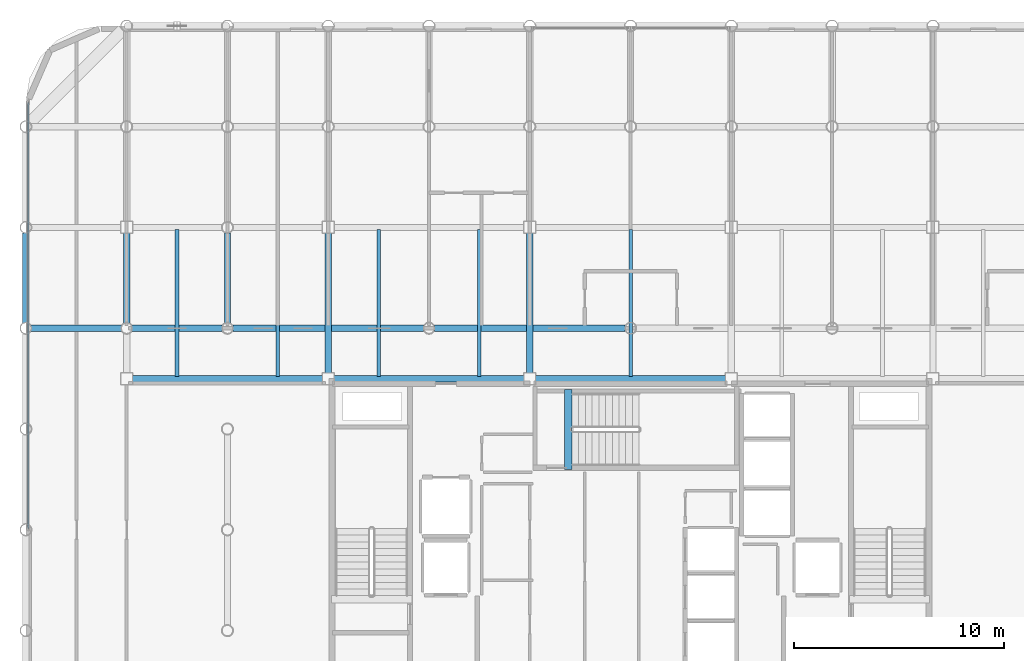
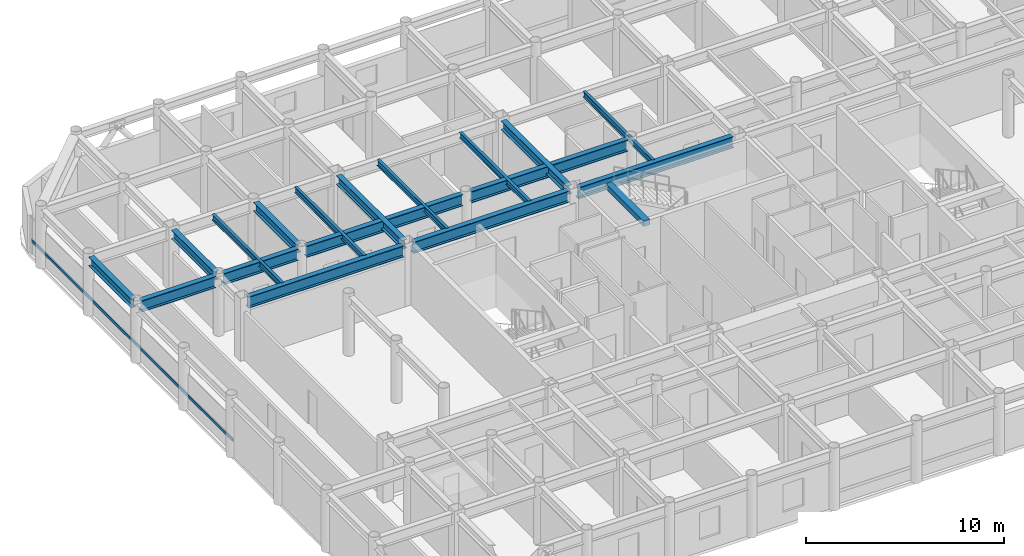
# One storey, part 7 of 24: 18 beams, 1 member, 1 element without a shape of its own.
"""IFC4 building model written with IfcOpenShell, lengths in metres."""

from ifc_helpers import new_model, si_unit, direction, frame, origin, origin_2d, place, context, subcontext, project, spatial, rectangle, hollow_rectangle, i_section, extrude, material, layer, layer_set, material_profile, profile_set, type_object, element, aggregate, save


model = new_model("IFC4")

# Units and contexts
model_context = context("Model", 3, precision=1e-05, world=origin(), true_north=direction((0.0, 1.0)))
body_context = subcontext(model_context, "Body", "Model", "MODEL_VIEW")
ifc_project = project(units=[si_unit("LENGTHUNIT", "METRE"), si_unit("AREAUNIT", "SQUARE_METRE"), si_unit("VOLUMEUNIT", "CUBIC_METRE"), si_unit("PLANEANGLEUNIT", "RADIAN"), si_unit("MASSUNIT", "GRAM", prefix="KILO")], contexts=[model_context])

# Site, building, storey
site_placement = place(None, origin())
site = spatial("IfcSite", under=ifc_project, at=site_placement, CompositionType="ELEMENT")
building_placement = place(site_placement, origin())
building = spatial("IfcBuilding", under=site, at=building_placement, Name="Kallvorn Hotel Tower", CompositionType="ELEMENT")
storey_placement = place(building_placement, frame((0.0, 0.0, 233.85009765625)))
storey = spatial("IfcBuildingStorey", under=building, at=storey_placement, Name="L58", CompositionType="ELEMENT", Elevation=233.85009765625)

# Beams
ifc_material_1 = material(Name="Structural steel S355JR", Category="steel")
ifc_material_profile_1 = material_profile(ifc_material_1, i_section(OverallWidth=0.300048828125, OverallDepth=0.550048828125, WebThickness=0.014892578125, FlangeThickness=0.029052734375, at=origin_2d()), Name="HE 550 B")
ifc_profile_set_1 = profile_set([ifc_material_profile_1], Name="Structural steel S355JR")
beam_type_1 = type_object("IfcBeamType", Name="BM_HE550B", PredefinedType="SPANDREL", material=ifc_profile_set_1)
beam_1_placement = place(storey_placement, frame((-28.800048828125, 9.8544921875, 3.39501953125), z_axis=(0.0, 1.0, 0.0), x_axis=(-1.0, 0.0, 0.0)))
element("IfcBeam", 1, at=beam_1_placement, inside=storey, type_object=beam_type_1, Name="L59 Primary Y-Girder 79", PredefinedType="SPANDREL", context=body_context, shape_type="SweptSolid", body=[
    extrude(i_section(OverallWidth=0.300048828125, OverallDepth=0.550048828125, WebThickness=0.014892578125, FlangeThickness=0.029052734375, at=origin_2d()), origin(), (0.0, 0.0, 1.0), 4.291015625),
])
beam_2_placement = place(storey_placement, frame((-24.0, 9.8544921875, 3.39501953125), z_axis=(0.0, 1.0, 0.0), x_axis=(-1.0, 0.0, 0.0)))
element("IfcBeam", 2, at=beam_2_placement, inside=storey, type_object=beam_type_1, Name="L59 Primary Y-Girder 85", PredefinedType="SPANDREL", context=body_context, shape_type="SweptSolid", body=[
    extrude(i_section(OverallWidth=0.300048828125, OverallDepth=0.550048828125, WebThickness=0.014892578125, FlangeThickness=0.029052734375, at=origin_2d()), origin(), (0.0, 0.0, 1.0), 4.2705078125),
])
beam_3_placement = place(storey_placement, frame((-19.199951171875, 9.8544921875, 3.39501953125), z_axis=(0.0, 1.0, 0.0), x_axis=(-1.0, 0.0, 0.0)))
element("IfcBeam", 3, at=beam_3_placement, inside=storey, type_object=beam_type_1, Name="L59 Primary Y-Girder 94", PredefinedType="SPANDREL", context=body_context, shape_type="SweptSolid", body=[
    extrude(i_section(OverallWidth=0.300048828125, OverallDepth=0.550048828125, WebThickness=0.014892578125, FlangeThickness=0.029052734375, at=origin_2d()), origin(), (0.0, 0.0, 1.0), 4.291015625),
])
for number, where, z_axis, x_axis, name in (
    (4, (-14.39990234375, 7.47509765625, 3.39501953125), (0.0, 1.0, 0.0), (-1.0, 0.0, 0.0), "L59 Primary Y-Girder 99"),
    (5, (-4.800048828125, 7.47509765625, 3.39501953125), (0.0, 1.0, 0.0), (-1.0, 0.0, 0.0), "L59 Primary Y-Girder 107"),
):
    element("IfcBeam", number, at=place(storey_placement, frame(where, z_axis=z_axis, x_axis=x_axis)), inside=storey, type_object=beam_type_1, Name=name, PredefinedType="SPANDREL", context=body_context, shape_type="SweptSolid", body=[
        extrude(i_section(OverallWidth=0.300048828125, OverallDepth=0.550048828125, WebThickness=0.014892578125, FlangeThickness=0.029052734375, at=origin_2d()), origin(), (0.0, 0.0, 1.0), 6.64990234375),
    ])
ifc_material_2 = material(Name="Structural steel S355JR", Category="steel")
ifc_material_profile_2 = material_profile(ifc_material_2, i_section(OverallWidth=0.300048828125, OverallDepth=0.699951171875, WebThickness=0.01708984375, FlangeThickness=0.031982421875, at=origin_2d()), Name="HE 700 B")
ifc_profile_set_2 = profile_set([ifc_material_profile_2], Name="Structural steel S355JR")
beam_type_2 = type_object("IfcBeamType", Name="BM_HE700B", PredefinedType="BEAM", material=ifc_profile_set_2)
for number, where, z_axis, x_axis, name in (
    (6, (-23.72509765625, 7.199951171875, 3.31982421875), (1.0, 0.0, 0.0), (0.0, 1.0, 0.0), "L59 Primary X-Girder 36"),
    (7, (-14.125, 7.199951171875, 3.31982421875), (1.0, 0.0, 0.0), (0.0, 1.0, 0.0), "L59 Primary X-Girder 37"),
):
    element("IfcBeam", number, at=place(storey_placement, frame(where, z_axis=z_axis, x_axis=x_axis)), inside=storey, type_object=beam_type_2, Name=name, PredefinedType="BEAM", context=body_context, shape_type="SweptSolid", body=[
        extrude(i_section(OverallWidth=0.300048828125, OverallDepth=0.699951171875, WebThickness=0.01708984375, FlangeThickness=0.031982421875, at=origin_2d()), origin(), (0.0, 0.0, 1.0), 9.050048828125),
    ])
beam_4_placement = place(storey_placement, frame((-4.52490234375, 7.199951171875, 3.31982421875), z_axis=(1.0, 0.0, 0.0), x_axis=(0.0, 1.0, 0.0)))
element("IfcBeam", 8, at=beam_4_placement, inside=storey, type_object=beam_type_2, Name="L59 Primary X-Girder 38", PredefinedType="BEAM", context=body_context, shape_type="SweptSolid", body=[
    extrude(i_section(OverallWidth=0.300048828125, OverallDepth=0.699951171875, WebThickness=0.01708984375, FlangeThickness=0.031982421875, at=origin_2d()), origin(), (0.0, 0.0, 1.0), 9.0498046875),
])
for number, where, z_axis, x_axis, name in (
    (9, (-28.54541015625, 9.60009765625, 3.31982421875), (1.0, 0.0, 0.0), (0.0, 1.0, 0.0), "L59 Primary X-Girder 41"),
    (10, (-23.74560546875, 9.60009765625, 3.31982421875), (1.0, 0.0, 0.0), (0.0, 1.0, 0.0), "L59 Primary X-Girder 42"),
):
    element("IfcBeam", number, at=place(storey_placement, frame(where, z_axis=z_axis, x_axis=x_axis)), inside=storey, type_object=beam_type_2, Name=name, PredefinedType="BEAM", context=body_context, shape_type="SweptSolid", body=[
        extrude(i_section(OverallWidth=0.300048828125, OverallDepth=0.699951171875, WebThickness=0.01708984375, FlangeThickness=0.031982421875, at=origin_2d()), origin(), (0.0, 0.0, 1.0), 4.291015625),
    ])
for number, where, z_axis, x_axis, name in (
    (11, (-18.945556640625, 9.60009765625, 3.31982421875), (1.0, 0.0, 0.0), (0.0, 1.0, 0.0), "L59 Primary X-Girder 43"),
    (12, (-9.345458984375, 9.60009765625, 3.31982421875), (1.0, 0.0, 0.0), (0.0, 1.0, 0.0), "L59 Primary X-Girder 44"),
):
    element("IfcBeam", number, at=place(storey_placement, frame(where, z_axis=z_axis, x_axis=x_axis)), inside=storey, type_object=beam_type_2, Name=name, PredefinedType="BEAM", context=body_context, shape_type="SweptSolid", body=[
        extrude(i_section(OverallWidth=0.300048828125, OverallDepth=0.699951171875, WebThickness=0.01708984375, FlangeThickness=0.031982421875, at=origin_2d()), origin(), (0.0, 0.0, 1.0), 9.091064453125),
    ])
ifc_material_3 = material(Name="Structural steel S355JR", Category="steel")
ifc_material_profile_3 = material_profile(ifc_material_3, i_section(OverallWidth=0.169921875, OverallDepth=0.360107421875, WebThickness=0.008056640625, FlangeThickness=0.0126953125, at=origin_2d()), Name="IPE 360")
ifc_profile_set_3 = profile_set([ifc_material_profile_3], Name="Structural steel S355JR")
beam_type_3 = type_object("IfcBeamType", Name="BM_IPE360", PredefinedType="JOIST", material=ifc_profile_set_3)
for number, where, z_axis, x_axis, name in (
    (13, (-21.60009765625, 7.300048828125, 3.489990234375), (0.0, 1.0, 0.0), (-1.0, 0.0, 0.0), "L59 Secondary Composite Joist 193"),
    (14, (-16.800048828125, 7.300048828125, 3.489990234375), (0.0, 1.0, 0.0), (-1.0, 0.0, 0.0), "L59 Secondary Composite Joist 195"),
    (15, (-12.0, 7.300048828125, 3.489990234375), (0.0, 1.0, 0.0), (-1.0, 0.0, 0.0), "L59 Secondary Composite Joist 197"),
    (16, (-7.199951171875, 7.300048828125, 3.489990234375), (0.0, 1.0, 0.0), (-1.0, 0.0, 0.0), "L59 Secondary Composite Joist 199"),
    (17, (0.0, 7.300048828125, 3.489990234375), (0.0, 1.0, 0.0), (-1.0, 0.0, 0.0), "L59 Secondary Composite Joist 201"),
):
    element("IfcBeam", number, at=place(storey_placement, frame(where, z_axis=z_axis, x_axis=x_axis)), inside=storey, type_object=beam_type_3, Name=name, PredefinedType="JOIST", context=body_context, shape_type="SweptSolid", body=[
        extrude(i_section(OverallWidth=0.169921875, OverallDepth=0.360107421875, WebThickness=0.008056640625, FlangeThickness=0.0126953125, at=origin_2d()), origin(), (0.0, 0.0, 1.0), 7.0),
    ])
ifc_material_4 = material(Name="Concrete C50/60", Category="concrete")
ifc_material_profile_4 = material_profile(ifc_material_4, rectangle(XDim=0.360107421875, YDim=0.340087890625, at=origin_2d()), Name="RC 360x340")
ifc_profile_set_4 = profile_set([ifc_material_profile_4], Name="Concrete C50/60")
beam_type_4 = type_object("IfcBeamType", Name="BM_RC_400x360", PredefinedType="BEAM", material=ifc_profile_set_4)
beam_5_placement = place(storey_placement, frame((-2.9599609375, 2.8701171875, 3.5), z_axis=(0.0, 1.0, 0.0), x_axis=(-1.0, 0.0, 0.0)))
element("IfcBeam", 18, at=beam_5_placement, inside=storey, type_object=beam_type_4, Name="L59 Stair ST3 Arrival Trimmer Beam", PredefinedType="BEAM", context=body_context, shape_type="SweptSolid", body=[
    extrude(rectangle(XDim=0.360107421875, YDim=0.340087890625, at=origin_2d()), origin(), (0.0, 0.0, 1.0), 3.81982421875),
])

# Curtain wall, member
ifc_material_5 = material(Name="Thermally broken black-anodised aluminium AA 6063-T6", Category="aluminium")
ifc_layer = layer(ifc_material_5, 0.22998046875)
ifc_layer_set = layer_set([ifc_layer], Name="CW_SYS_5_HOTEL_HIGH")
curtain_wall_type = type_object("IfcCurtainWallType", Name="CW_SYS_5_HOTEL_HIGH", PredefinedType="USERDEFINED", material=ifc_layer_set)
curtain_wall_placement = place(storey_placement, origin())
curtain_wall = element("IfcCurtainWall", 19, at=curtain_wall_placement, inside=storey, type_object=curtain_wall_type, Name="L58 Dark-Glass Curtain Wall CW-L58-WN", ObjectType="UNITISED CURTAIN WALL", PredefinedType="USERDEFINED")
ifc_material_6 = material(Name="Thermally broken black-anodised aluminium AA 6063-T6", Category="aluminium")
ifc_material_profile_5 = material_profile(ifc_material_6, hollow_rectangle(XDim=0.070068359375, YDim=0.179931640625, WallThickness=0.00390625, at=origin_2d()), Name="TRN 180x70")
ifc_profile_set_5 = profile_set([ifc_material_profile_5], Name="Thermally broken black-anodised aluminium AA 6063-T6")
member_type = type_object("IfcMemberType", Name="CW_TRANSOM_180x70", PredefinedType="USERDEFINED", material=ifc_profile_set_5)
member_placement = place(storey_placement, frame((-28.679931640625, 0.06005859375, 0.849853515625), z_axis=(0.0, 1.0, 0.0), x_axis=(-1.0, 0.0, 0.0)))
member = element("IfcMember", 20, at=member_placement, type_object=member_type, Name="CW-L58-WN Transom 00M", ObjectType="TRANSOM", PredefinedType="USERDEFINED", context=body_context, shape_type="SweptSolid", body=[
    extrude(hollow_rectangle(XDim=0.070068359375, YDim=0.179931640625, WallThickness=0.00390625, at=origin_2d()), origin(), (0.0, 0.0, 1.0), 20.300048828125),
])
aggregate(curtain_wall, [member])

save(model, "model.ifc")
